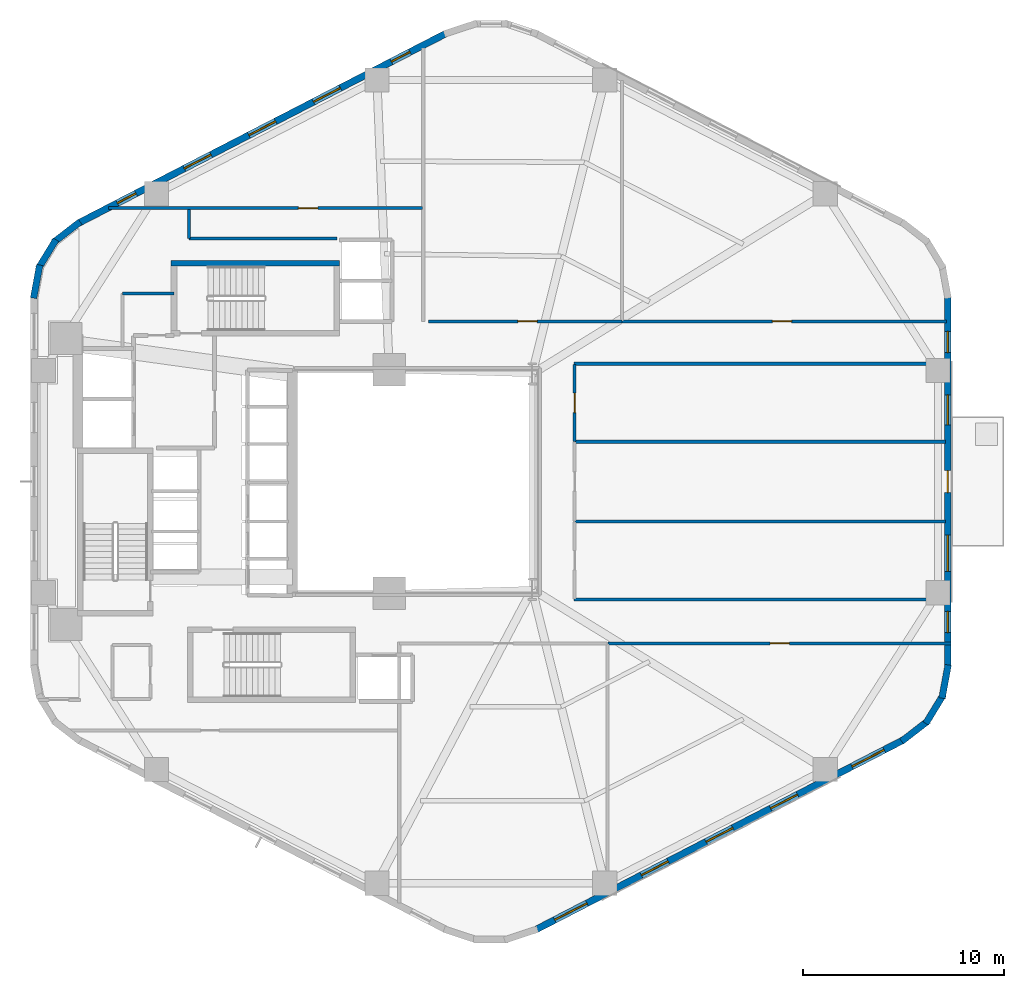
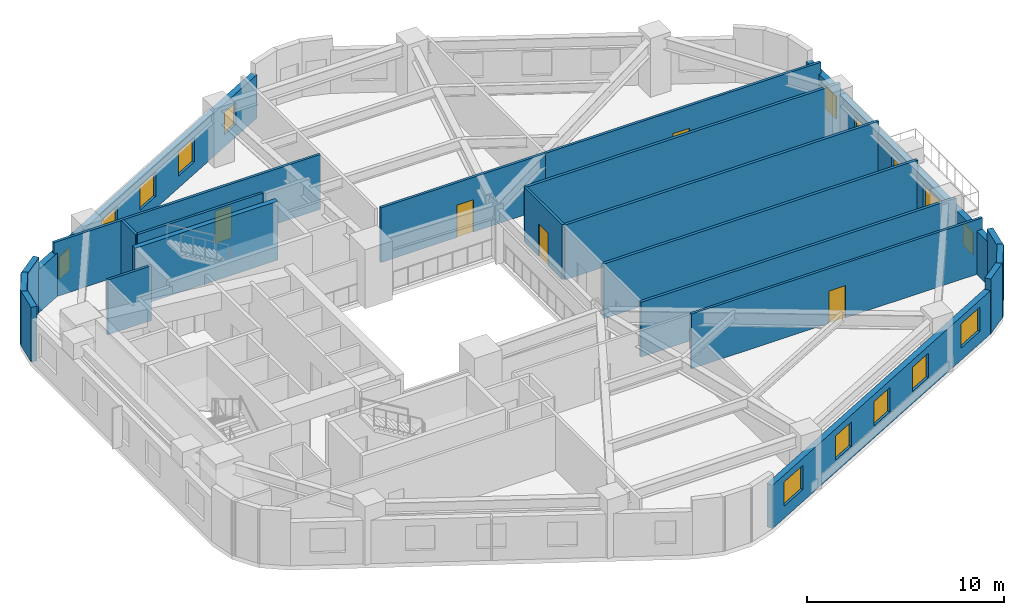
# One storey, part 4 of 7: 22 walls, 14 windows, 6 doors, 20 openings.
"""IFC4 building model written with IfcOpenShell, lengths in metres."""

from ifc_helpers import new_model, si_unit, direction, frame, frame_2d, origin, place, context, subcontext, project, spatial, rectangle, extrude, material, layer, layer_set, type_object, element, fill, save


model = new_model("IFC4")

# Units and contexts
model_context = context("Model", 3, precision=1e-05, world=origin(), true_north=direction((0.0, 1.0)))
body_context = subcontext(model_context, "Body", "Model", "MODEL_VIEW")
ifc_project = project(units=[si_unit("LENGTHUNIT", "METRE"), si_unit("AREAUNIT", "SQUARE_METRE"), si_unit("VOLUMEUNIT", "CUBIC_METRE"), si_unit("PLANEANGLEUNIT", "RADIAN"), si_unit("MASSUNIT", "GRAM", prefix="KILO"), si_unit("THERMODYNAMICTEMPERATUREUNIT", "KELVIN"), si_unit("POWERUNIT", "WATT")], contexts=[model_context])

# Site, building, storey
site_placement = place(None, origin())
site = spatial("IfcSite", under=ifc_project, at=site_placement, CompositionType="ELEMENT")
building_placement = place(site_placement, origin())
building = spatial("IfcBuilding", under=site, at=building_placement, Name="Skarre Station Tower", CompositionType="ELEMENT")
storey_placement = place(building_placement, frame((0.0, 0.0, 70.800048828125)))
storey = spatial("IfcBuildingStorey", under=building, at=storey_placement, Name="L18", CompositionType="ELEMENT", Elevation=70.800048828125)

# Wall
ifc_material_1 = material(Name="Acoustic Steel-Stud Gypsum Partition", Category="steel")
ifc_layer_1 = layer(ifc_material_1, 0.14990234375, Name="Acoustic Steel-Stud Gypsum Partition")
ifc_layer_set_1 = layer_set([ifc_layer_1], Name="Acoustic Steel-Stud Gypsum Partition")
wall_type_1 = type_object("IfcWallType", Name="Fire-Rated Corridor Acoustic Partition 150", PredefinedType="PARTITIONING", material=ifc_layer_set_1)
wall_1_placement = place(storey_placement, frame((21.659912109375, 33.35009765625, 0.0), z_axis=(0.0, 0.0, 1.0), x_axis=(-1.0, 0.0, 0.0)))
element("IfcWall", 1, at=wall_1_placement, inside=storey, type_object=wall_type_1, Name="L18 Interior Partition WL-PT-L18-CNW-N1", PredefinedType="PARTITIONING", context=body_context, shape_type="SweptSolid", body=[
    extrude(rectangle(XDim=2.559814453125, YDim=0.14990234375, at=frame_2d((1.27978515625, 0.0))), origin(), (0.0, 0.0, 1.0), 3.389892578125),
])

# Wall, opening, door
wall_2_placement = place(storey_placement, frame((34.0, 37.580078125, 0.0), z_axis=(0.0, 0.0, 1.0), x_axis=(-1.0, 0.0, 0.0)))
wall_2 = element("IfcWall", 2, at=wall_2_placement, inside=storey, type_object=wall_type_1, Name="L18 Interior Partition WL-PT-L18-NWW1-CW", PredefinedType="PARTITIONING", context=body_context, shape_type="SweptSolid", body=[
    extrude(rectangle(XDim=15.60009765625, YDim=0.14990234375, at=frame_2d((7.800048828125, 0.0))), origin(), (0.0, 0.0, 1.0), 3.389892578125),
])
opening_1_placement = place(wall_2_placement, frame((5.195068359375, 0.0, 0.0)))
opening_1 = element("IfcOpeningElement", 3, at=opening_1_placement, cuts=wall_2, Name="Opening DR-FD60", PredefinedType="OPENING", context=body_context, shape_type="SweptSolid", body=[
    extrude(rectangle(XDim=0.9599609375, YDim=2.0, at=frame_2d((0.47998046875, 1.0))), frame((0.0, 0.0849609375, 0.0), z_axis=(0.0, -1.0, 0.0), x_axis=(1.0, 0.0, 0.0)), (0.0, 0.0, 1.0), 0.169921875),
])
ifc_material_2 = material(Name="Nordic White-Oak Veneer Solid-Core Fire Leaf", Category="wood")
door_type_1 = type_object("IfcDoorType", Name="Corridor Suite Entry Fire Door FD60 960x2150", OperationType="SINGLE_SWING_LEFT", PredefinedType="DOOR", material=ifc_material_2)
door_1_placement = place(opening_1_placement, origin())
door_1 = element("IfcDoor", 4, at=door_1_placement, inside=storey, type_object=door_type_1, Name="L18 NWW1 Entry Door", OperationType="SINGLE_SWING_LEFT", OverallHeight=2.0, OverallWidth=0.9599609375, PredefinedType="DOOR", context=body_context, shape_type="SweptSolid", body=[
    extrude(rectangle(XDim=0.9599609375, YDim=2.0, at=frame_2d((0.47998046875, 1.0))), frame((0.0, 0.02490234375, 0.0), z_axis=(0.0, -1.0, 0.0), x_axis=(1.0, 0.0, 0.0)), (0.0, 0.0, 1.0), 0.050048828125),
])
fill(opening_1, door_1)

wall_3_placement = place(storey_placement, frame((43.910888671875, 31.9599609375, 0.0), z_axis=(0.0, 0.0, 1.0), x_axis=(-1.0, 0.0, 0.0)))
wall_3 = element("IfcWall", 5, at=wall_3_placement, inside=storey, type_object=wall_type_1, Name="L18 Interior Partition WL-PT-L18-NW1-CW", PredefinedType="PARTITIONING", context=body_context, shape_type="SweptSolid", body=[
    extrude(rectangle(XDim=9.620849609375, YDim=0.14990234375, at=frame_2d((4.810546875, 0.0))), origin(), (0.0, 0.0, 1.0), 3.389892578125),
])
opening_2_placement = place(wall_3_placement, frame((4.2109375, 0.0, 0.0)))
opening_2 = element("IfcOpeningElement", 6, at=opening_2_placement, cuts=wall_3, Name="Opening DR-FD60", PredefinedType="OPENING", context=body_context, shape_type="SweptSolid", body=[
    extrude(rectangle(XDim=0.9599609375, YDim=2.0, at=frame_2d((0.47998046875, 1.0))), frame((0.0, 0.0849609375, 0.0), z_axis=(0.0, -1.0, 0.0), x_axis=(1.0, 0.0, 0.0)), (0.0, 0.0, 1.0), 0.169921875),
])
door_2_placement = place(opening_2_placement, origin())
door_2 = element("IfcDoor", 7, at=door_2_placement, inside=storey, type_object=door_type_1, Name="L18 NW1 Entry Door", OperationType="SINGLE_SWING_LEFT", OverallHeight=2.0, OverallWidth=0.9599609375, PredefinedType="DOOR", context=body_context, shape_type="SweptSolid", body=[
    extrude(rectangle(XDim=0.9599609375, YDim=2.0, at=frame_2d((0.47998046875, 1.0))), frame((0.0, 0.02490234375, 0.0), z_axis=(0.0, -1.0, 0.0), x_axis=(1.0, 0.0, 0.0)), (0.0, 0.0, 1.0), 0.050048828125),
])
fill(opening_2, door_2)

wall_4_placement = place(storey_placement, frame((60.031982421875, 31.9599609375, 0.0), z_axis=(0.0, 0.0, 1.0), x_axis=(-1.0, 0.0, 0.0)))
wall_4 = element("IfcWall", 8, at=wall_4_placement, inside=storey, type_object=wall_type_1, Name="L18 Interior Partition WL-PT-L18-NW2-CW", PredefinedType="PARTITIONING", context=body_context, shape_type="SweptSolid", body=[
    extrude(rectangle(XDim=16.111083984375, YDim=0.14990234375, at=frame_2d((8.0556640625, 0.0))), origin(), (0.0, 0.0, 1.0), 3.389892578125),
])
opening_3_placement = place(wall_4_placement, frame((7.695068359375, 0.0, 0.0)))
opening_3 = element("IfcOpeningElement", 9, at=opening_3_placement, cuts=wall_4, Name="Opening DR-FD60", PredefinedType="OPENING", context=body_context, shape_type="SweptSolid", body=[
    extrude(rectangle(XDim=0.9599609375, YDim=2.0, at=frame_2d((0.47998046875, 1.0))), frame((0.0, 0.0849609375, 0.0), z_axis=(0.0, -1.0, 0.0), x_axis=(1.0, 0.0, 0.0)), (0.0, 0.0, 1.0), 0.169921875),
])
door_3_placement = place(opening_3_placement, origin())
door_3 = element("IfcDoor", 10, at=door_3_placement, inside=storey, type_object=door_type_1, Name="L18 NW2 Entry Door", OperationType="SINGLE_SWING_LEFT", OverallHeight=2.0, OverallWidth=0.9599609375, PredefinedType="DOOR", context=body_context, shape_type="SweptSolid", body=[
    extrude(rectangle(XDim=0.9599609375, YDim=2.0, at=frame_2d((0.47998046875, 1.0))), frame((0.0, 0.02490234375, 0.0), z_axis=(0.0, -1.0, 0.0), x_axis=(1.0, 0.0, 0.0)), (0.0, 0.0, 1.0), 0.050048828125),
])
fill(opening_3, door_3)

wall_5_placement = place(storey_placement, frame((41.56005859375, 25.9970703125, 0.0), z_axis=(0.0, 0.0, 1.0), x_axis=(0.0, 1.0, 0.0)))
wall_5 = element("IfcWall", 11, at=wall_5_placement, inside=storey, type_object=wall_type_1, Name="L18 Interior Partition WL-PT-L18-EW3-CW", PredefinedType="PARTITIONING", context=body_context, shape_type="SweptSolid", body=[
    extrude(rectangle(XDim=3.822998046875, YDim=0.14990234375, at=frame_2d((1.91162109375, 0.0))), origin(), (0.0, 0.0, 1.0), 3.389892578125),
])
opening_4_placement = place(wall_5_placement, frame((1.431884765625, 0.0, 0.0)))
opening_4 = element("IfcOpeningElement", 12, at=opening_4_placement, cuts=wall_5, Name="Opening DR-FD60", PredefinedType="OPENING", context=body_context, shape_type="SweptSolid", body=[
    extrude(rectangle(XDim=0.9599609375, YDim=2.0, at=frame_2d((0.47998046875, 1.0))), frame((0.0, 0.0849609375, 0.0), z_axis=(0.0, -1.0, 0.0), x_axis=(1.0, 0.0, 0.0)), (0.0, 0.0, 1.0), 0.169921875),
])
door_4_placement = place(opening_4_placement, origin())
door_4 = element("IfcDoor", 13, at=door_4_placement, inside=storey, type_object=door_type_1, Name="L18 EW3 Entry Door", OperationType="SINGLE_SWING_LEFT", OverallHeight=2.0, OverallWidth=0.9599609375, PredefinedType="DOOR", context=body_context, shape_type="SweptSolid", body=[
    extrude(rectangle(XDim=0.9599609375, YDim=2.0, at=frame_2d((0.47998046875, 1.0))), frame((0.0, 0.02490234375, 0.0), z_axis=(0.0, -1.0, 0.0), x_axis=(1.0, 0.0, 0.0)), (0.0, 0.0, 1.0), 0.050048828125),
])
fill(opening_4, door_4)

wall_6_placement = place(storey_placement, frame((43.214111328125, 15.9599609375, 0.0), z_axis=(0.0, 0.0, 1.0), x_axis=(1.0, 0.0, 0.0)))
wall_6 = element("IfcWall", 14, at=wall_6_placement, inside=storey, type_object=wall_type_1, Name="L18 Interior Partition WL-PT-L18-SW2-CW", PredefinedType="PARTITIONING", context=body_context, shape_type="SweptSolid", body=[
    extrude(rectangle(XDim=17.038818359375, YDim=0.14990234375, at=frame_2d((8.51953125, 0.0))), origin(), (0.0, 0.0, 1.0), 3.389892578125),
])
opening_5_placement = place(wall_6_placement, frame((8.052978515625, 0.0, 0.0)))
opening_5 = element("IfcOpeningElement", 15, at=opening_5_placement, cuts=wall_6, Name="Opening DR-FD60", PredefinedType="OPENING", context=body_context, shape_type="SweptSolid", body=[
    extrude(rectangle(XDim=0.9599609375, YDim=2.0, at=frame_2d((0.47998046875, 1.0))), frame((0.0, 0.0849609375, 0.0), z_axis=(0.0, -1.0, 0.0), x_axis=(1.0, 0.0, 0.0)), (0.0, 0.0, 1.0), 0.169921875),
])
door_5_placement = place(opening_5_placement, origin())
door_5 = element("IfcDoor", 16, at=door_5_placement, inside=storey, type_object=door_type_1, Name="L18 SW2 Entry Door", OperationType="SINGLE_SWING_LEFT", OverallHeight=2.0, OverallWidth=0.9599609375, PredefinedType="DOOR", context=body_context, shape_type="SweptSolid", body=[
    extrude(rectangle(XDim=0.9599609375, YDim=2.0, at=frame_2d((0.47998046875, 1.0))), frame((0.0, 0.02490234375, 0.0), z_axis=(0.0, -1.0, 0.0), x_axis=(1.0, 0.0, 0.0)), (0.0, 0.0, 1.0), 0.050048828125),
])
fill(opening_5, door_5)

# Walls
wall_7_placement = place(storey_placement, frame((29.7529296875, 36.080078125, 0.0), z_axis=(0.0, 0.0, 1.0), x_axis=(-1.0, 0.0, 0.0)))
element("IfcWall", 17, at=wall_7_placement, inside=storey, type_object=wall_type_1, Name="L18 Interior Partition WL-PT-L18-CSEAL-1", PredefinedType="PARTITIONING", context=body_context, shape_type="SweptSolid", body=[
    extrude(rectangle(XDim=7.35302734375, YDim=0.14990234375, at=frame_2d((3.676513671875, 0.0))), origin(), (0.0, 0.0, 1.0), 3.389892578125),
])
wall_8_placement = place(storey_placement, frame((22.39990234375, 36.080078125, 0.0), z_axis=(0.0, 0.0, 1.0), x_axis=(0.0, 1.0, 0.0)))
element("IfcWall", 18, at=wall_8_placement, inside=storey, type_object=wall_type_1, Name="L18 Interior Partition WL-PT-L18-CSEAL-2", PredefinedType="PARTITIONING", context=body_context, shape_type="SweptSolid", body=[
    extrude(rectangle(XDim=1.429931640625, YDim=0.14990234375, at=frame_2d((0.71484375, 0.0))), origin(), (0.0, 0.0, 1.0), 3.389892578125),
])

# Wall, openings, windows
ifc_material_3 = material(Name="Precast concrete C45/55", Category="concrete")
ifc_layer_2 = layer(ifc_material_3, 0.340087890625, Name="Precast concrete C45/55")
ifc_layer_set_2 = layer_set([ifc_layer_2], Name="Precast concrete C45/55")
wall_type_2 = type_object("IfcWallType", Name="Nordic Honed Precast Facet Wall 340", PredefinedType="STANDARD", material=ifc_layer_set_2)
wall_9_placement = place(storey_placement, frame((16.924072265625, 36.841064453125, 0.0), z_axis=(0.0, 0.0, 1.0), x_axis=(0.888634413993, 0.458616264721, 0.0)))
wall_9 = element("IfcWall", 19, at=wall_9_placement, inside=storey, type_object=wall_type_2, Name="L18 Facet 1 Nordic Precast Masonry Wall", PredefinedType="STANDARD", context=body_context, shape_type="SweptSolid", body=[
    extrude(rectangle(XDim=20.53125, YDim=0.340087890625, at=frame_2d((10.265625, 0.0))), origin(), (0.0, 0.0, 1.0), 2.683837890625),
])
opening_6_placement = place(wall_9_placement, frame((2.160888671875, 0.0, 0.75)))
opening_6 = element("IfcOpeningElement", 20, at=opening_6_placement, cuts=wall_9, Name="Opening WN-SLT", PredefinedType="OPENING", context=body_context, shape_type="SweptSolid", body=[
    extrude(rectangle(XDim=1.050048828125, YDim=1.39990234375, at=frame_2d((0.52490234375, 0.699951171875))), frame((0.0, 0.179931640625, 0.0), z_axis=(0.0, -1.0, 0.0), x_axis=(1.0, 0.0, 0.0)), (0.0, 0.0, 1.0), 0.360107421875),
])
opening_7_placement = place(wall_9_placement, frame((5.903076171875, 0.0, 0.75)))
opening_7 = element("IfcOpeningElement", 21, at=opening_7_placement, cuts=wall_9, Name="Opening WN-Z1B", PredefinedType="OPENING", context=body_context, shape_type="SweptSolid", body=[
    extrude(rectangle(XDim=1.5, YDim=1.5, at=frame_2d((0.75, 0.75))), frame((0.0, 0.179931640625, 0.0), z_axis=(0.0, -1.0, 0.0), x_axis=(1.0, 0.0, 0.0)), (0.0, 0.0, 1.0), 0.360107421875),
])
opening_8_placement = place(wall_9_placement, frame((9.51611328125, 0.0, 0.75)))
opening_8 = element("IfcOpeningElement", 22, at=opening_8_placement, cuts=wall_9, Name="Opening WN-Z1B", PredefinedType="OPENING", context=body_context, shape_type="SweptSolid", body=[
    extrude(rectangle(XDim=1.5, YDim=1.5, at=frame_2d((0.75, 0.75))), frame((0.0, 0.179931640625, 0.0), z_axis=(0.0, -1.0, 0.0), x_axis=(1.0, 0.0, 0.0)), (0.0, 0.0, 1.0), 0.360107421875),
])
opening_9_placement = place(wall_9_placement, frame((13.12890625, 0.0, 0.75)))
opening_9 = element("IfcOpeningElement", 23, at=opening_9_placement, cuts=wall_9, Name="Opening WN-Z1B", PredefinedType="OPENING", context=body_context, shape_type="SweptSolid", body=[
    extrude(rectangle(XDim=1.5, YDim=1.5, at=frame_2d((0.75, 0.75))), frame((0.0, 0.179931640625, 0.0), z_axis=(0.0, -1.0, 0.0), x_axis=(1.0, 0.0, 0.0)), (0.0, 0.0, 1.0), 0.360107421875),
])
opening_10_placement = place(wall_9_placement, frame((17.47607421875, 0.0, 0.75)))
opening_10 = element("IfcOpeningElement", 24, at=opening_10_placement, cuts=wall_9, Name="Opening WN-SLT", PredefinedType="OPENING", context=body_context, shape_type="SweptSolid", body=[
    extrude(rectangle(XDim=1.050048828125, YDim=1.39990234375, at=frame_2d((0.52490234375, 0.699951171875))), frame((0.0, 0.179931640625, 0.0), z_axis=(0.0, -1.0, 0.0), x_axis=(1.0, 0.0, 0.0)), (0.0, 0.0, 1.0), 0.360107421875),
])
ifc_material_4 = material(Name="Low-Iron Triple Glazing with Bronze Anodized Frame", Category="glass")
window_type_1 = type_object("IfcWindowType", Name="Nordic Corner Slot Window 1050x1400", PartitioningType="SINGLE_PANEL", PredefinedType="WINDOW", material=ifc_material_4)
window_1_placement = place(opening_6_placement, origin())
window_1 = element("IfcWindow", 25, at=window_1_placement, inside=storey, type_object=window_type_1, Name="L18 Facade Window WL-FAC-L18-F1-1", OverallHeight=1.39990234375, OverallWidth=1.050048828125, PartitioningType="SINGLE_PANEL", PredefinedType="WINDOW", context=body_context, shape_type="SweptSolid", body=[
    extrude(rectangle(XDim=1.050048828125, YDim=1.39990234375, at=frame_2d((0.52490234375, 0.699951171875))), frame((0.0, 0.030029296875, 0.0), z_axis=(0.0, -1.0, 0.0), x_axis=(1.0, 0.0, 0.0)), (0.0, 0.0, 1.0), 0.06005859375),
])
fill(opening_6, window_1)
window_2_placement = place(opening_10_placement, origin())
window_2 = element("IfcWindow", 26, at=window_2_placement, inside=storey, type_object=window_type_1, Name="L18 Facade Window WL-FAC-L18-F1-5", OverallHeight=1.39990234375, OverallWidth=1.050048828125, PartitioningType="SINGLE_PANEL", PredefinedType="WINDOW", context=body_context, shape_type="SweptSolid", body=[
    extrude(rectangle(XDim=1.050048828125, YDim=1.39990234375, at=frame_2d((0.52490234375, 0.699951171875))), frame((0.0, 0.030029296875, 0.0), z_axis=(0.0, -1.0, 0.0), x_axis=(1.0, 0.0, 0.0)), (0.0, 0.0, 1.0), 0.06005859375),
])
fill(opening_10, window_2)
window_type_2 = type_object("IfcWindowType", Name="Nordic Punched Triple-Glazed Window 1500x1500", PartitioningType="SINGLE_PANEL", PredefinedType="WINDOW", material=ifc_material_4)
window_3_placement = place(opening_7_placement, origin())
window_3 = element("IfcWindow", 27, at=window_3_placement, inside=storey, type_object=window_type_2, Name="L18 Facade Window WL-FAC-L18-F1-2", OverallHeight=1.5, OverallWidth=1.5, PartitioningType="SINGLE_PANEL", PredefinedType="WINDOW", context=body_context, shape_type="SweptSolid", body=[
    extrude(rectangle(XDim=1.5, YDim=1.5, at=frame_2d((0.75, 0.75))), frame((0.0, 0.030029296875, 0.0), z_axis=(0.0, -1.0, 0.0), x_axis=(1.0, 0.0, 0.0)), (0.0, 0.0, 1.0), 0.06005859375),
])
fill(opening_7, window_3)
window_4_placement = place(opening_8_placement, origin())
window_4 = element("IfcWindow", 28, at=window_4_placement, inside=storey, type_object=window_type_2, Name="L18 Facade Window WL-FAC-L18-F1-3", OverallHeight=1.5, OverallWidth=1.5, PartitioningType="SINGLE_PANEL", PredefinedType="WINDOW", context=body_context, shape_type="SweptSolid", body=[
    extrude(rectangle(XDim=1.5, YDim=1.5, at=frame_2d((0.75, 0.75))), frame((0.0, 0.030029296875, 0.0), z_axis=(0.0, -1.0, 0.0), x_axis=(1.0, 0.0, 0.0)), (0.0, 0.0, 1.0), 0.06005859375),
])
fill(opening_8, window_4)
window_5_placement = place(opening_9_placement, origin())
window_5 = element("IfcWindow", 29, at=window_5_placement, inside=storey, type_object=window_type_2, Name="L18 Facade Window WL-FAC-L18-F1-4", OverallHeight=1.5, OverallWidth=1.5, PartitioningType="SINGLE_PANEL", PredefinedType="WINDOW", context=body_context, shape_type="SweptSolid", body=[
    extrude(rectangle(XDim=1.5, YDim=1.5, at=frame_2d((0.75, 0.75))), frame((0.0, 0.030029296875, 0.0), z_axis=(0.0, -1.0, 0.0), x_axis=(1.0, 0.0, 0.0)), (0.0, 0.0, 1.0), 0.06005859375),
])
fill(opening_9, window_5)

wall_10_placement = place(storey_placement, frame((57.8759765625, 11.158935546875, 0.0), z_axis=(0.0, 0.0, 1.0), x_axis=(-0.888634413993, -0.458616264721, 0.0)))
wall_10 = element("IfcWall", 30, at=wall_10_placement, inside=storey, type_object=wall_type_2, Name="L18 Facet 4 Nordic Precast Masonry Wall", PredefinedType="STANDARD", context=body_context, shape_type="SweptSolid", body=[
    extrude(rectangle(XDim=20.53125, YDim=0.340087890625, at=frame_2d((10.265625, 0.0))), origin(), (0.0, 0.0, 1.0), 2.683837890625),
])
opening_11_placement = place(wall_10_placement, frame((1.05810546875, 0.0, 0.75)))
opening_11 = element("IfcOpeningElement", 31, at=opening_11_placement, cuts=wall_10, Name="Opening WN-Z1A", PredefinedType="OPENING", context=body_context, shape_type="SweptSolid", body=[
    extrude(rectangle(XDim=1.800048828125, YDim=1.5, at=frame_2d((0.89990234375, 0.75))), frame((0.0, 0.179931640625, 0.0), z_axis=(0.0, -1.0, 0.0), x_axis=(1.0, 0.0, 0.0)), (0.0, 0.0, 1.0), 0.360107421875),
])
opening_12_placement = place(wall_10_placement, frame((5.903076171875, 0.0, 0.75)))
opening_12 = element("IfcOpeningElement", 32, at=opening_12_placement, cuts=wall_10, Name="Opening WN-Z1B", PredefinedType="OPENING", context=body_context, shape_type="SweptSolid", body=[
    extrude(rectangle(XDim=1.5, YDim=1.5, at=frame_2d((0.75, 0.75))), frame((0.0, 0.179931640625, 0.0), z_axis=(0.0, -1.0, 0.0), x_axis=(1.0, 0.0, 0.0)), (0.0, 0.0, 1.0), 0.360107421875),
])
opening_13_placement = place(wall_10_placement, frame((9.51611328125, 0.0, 0.75)))
opening_13 = element("IfcOpeningElement", 33, at=opening_13_placement, cuts=wall_10, Name="Opening WN-Z1B", PredefinedType="OPENING", context=body_context, shape_type="SweptSolid", body=[
    extrude(rectangle(XDim=1.5, YDim=1.5, at=frame_2d((0.75, 0.75))), frame((0.0, 0.179931640625, 0.0), z_axis=(0.0, -1.0, 0.0), x_axis=(1.0, 0.0, 0.0)), (0.0, 0.0, 1.0), 0.360107421875),
])
opening_14_placement = place(wall_10_placement, frame((13.12890625, 0.0, 0.75)))
opening_14 = element("IfcOpeningElement", 34, at=opening_14_placement, cuts=wall_10, Name="Opening WN-Z1B", PredefinedType="OPENING", context=body_context, shape_type="SweptSolid", body=[
    extrude(rectangle(XDim=1.5, YDim=1.5, at=frame_2d((0.75, 0.75))), frame((0.0, 0.179931640625, 0.0), z_axis=(0.0, -1.0, 0.0), x_axis=(1.0, 0.0, 0.0)), (0.0, 0.0, 1.0), 0.360107421875),
])
opening_15_placement = place(wall_10_placement, frame((17.673095703125, 0.0, 0.75)))
opening_15 = element("IfcOpeningElement", 35, at=opening_15_placement, cuts=wall_10, Name="Opening WN-Z1A", PredefinedType="OPENING", context=body_context, shape_type="SweptSolid", body=[
    extrude(rectangle(XDim=1.800048828125, YDim=1.5, at=frame_2d((0.89990234375, 0.75))), frame((0.0, 0.179931640625, 0.0), z_axis=(0.0, -1.0, 0.0), x_axis=(1.0, 0.0, 0.0)), (0.0, 0.0, 1.0), 0.360107421875),
])
window_6_placement = place(opening_12_placement, origin())
window_6 = element("IfcWindow", 36, at=window_6_placement, inside=storey, type_object=window_type_2, Name="L18 Facade Window WL-FAC-L18-F4-2", OverallHeight=1.5, OverallWidth=1.5, PartitioningType="SINGLE_PANEL", PredefinedType="WINDOW", context=body_context, shape_type="SweptSolid", body=[
    extrude(rectangle(XDim=1.5, YDim=1.5, at=frame_2d((0.75, 0.75))), frame((0.0, 0.030029296875, 0.0), z_axis=(0.0, -1.0, 0.0), x_axis=(1.0, 0.0, 0.0)), (0.0, 0.0, 1.0), 0.06005859375),
])
fill(opening_12, window_6)
window_7_placement = place(opening_13_placement, origin())
window_7 = element("IfcWindow", 37, at=window_7_placement, inside=storey, type_object=window_type_2, Name="L18 Facade Window WL-FAC-L18-F4-3", OverallHeight=1.5, OverallWidth=1.5, PartitioningType="SINGLE_PANEL", PredefinedType="WINDOW", context=body_context, shape_type="SweptSolid", body=[
    extrude(rectangle(XDim=1.5, YDim=1.5, at=frame_2d((0.75, 0.75))), frame((0.0, 0.030029296875, 0.0), z_axis=(0.0, -1.0, 0.0), x_axis=(1.0, 0.0, 0.0)), (0.0, 0.0, 1.0), 0.06005859375),
])
fill(opening_13, window_7)
window_8_placement = place(opening_14_placement, origin())
window_8 = element("IfcWindow", 38, at=window_8_placement, inside=storey, type_object=window_type_2, Name="L18 Facade Window WL-FAC-L18-F4-4", OverallHeight=1.5, OverallWidth=1.5, PartitioningType="SINGLE_PANEL", PredefinedType="WINDOW", context=body_context, shape_type="SweptSolid", body=[
    extrude(rectangle(XDim=1.5, YDim=1.5, at=frame_2d((0.75, 0.75))), frame((0.0, 0.030029296875, 0.0), z_axis=(0.0, -1.0, 0.0), x_axis=(1.0, 0.0, 0.0)), (0.0, 0.0, 1.0), 0.06005859375),
])
fill(opening_14, window_8)
window_type_3 = type_object("IfcWindowType", Name="Nordic Punched Triple-Glazed Window 1800x1500", PartitioningType="SINGLE_PANEL", PredefinedType="WINDOW", material=ifc_material_4)
window_9_placement = place(opening_11_placement, origin())
window_9 = element("IfcWindow", 39, at=window_9_placement, inside=storey, type_object=window_type_3, Name="L18 Facade Window WL-FAC-L18-F4-1", OverallHeight=1.5, OverallWidth=1.800048828125, PartitioningType="SINGLE_PANEL", PredefinedType="WINDOW", context=body_context, shape_type="SweptSolid", body=[
    extrude(rectangle(XDim=1.800048828125, YDim=1.5, at=frame_2d((0.89990234375, 0.75))), frame((0.0, 0.030029296875, 0.0), z_axis=(0.0, -1.0, 0.0), x_axis=(1.0, 0.0, 0.0)), (0.0, 0.0, 1.0), 0.06005859375),
])
fill(opening_11, window_9)
window_10_placement = place(opening_15_placement, origin())
window_10 = element("IfcWindow", 40, at=window_10_placement, inside=storey, type_object=window_type_3, Name="L18 Facade Window WL-FAC-L18-F4-5", OverallHeight=1.5, OverallWidth=1.800048828125, PartitioningType="SINGLE_PANEL", PredefinedType="WINDOW", context=body_context, shape_type="SweptSolid", body=[
    extrude(rectangle(XDim=1.800048828125, YDim=1.5, at=frame_2d((0.89990234375, 0.75))), frame((0.0, 0.030029296875, 0.0), z_axis=(0.0, -1.0, 0.0), x_axis=(1.0, 0.0, 0.0)), (0.0, 0.0, 1.0), 0.06005859375),
])
fill(opening_15, window_10)

# Wall, openings, windows, door
wall_11_placement = place(storey_placement, frame((60.093017578125, 33.201904296875, 0.0), z_axis=(0.0, 0.0, 1.0), x_axis=(0.0, -1.0, 0.0)))
wall_11 = element("IfcWall", 41, at=wall_11_placement, inside=storey, type_object=wall_type_2, Name="L18 Facet 5 Nordic Precast Masonry Wall", PredefinedType="STANDARD", context=body_context, shape_type="SweptSolid", body=[
    extrude(rectangle(XDim=18.40380859375, YDim=0.340087890625, at=frame_2d((9.201904296875, 0.0))), origin(), (0.0, 0.0, 1.0), 2.683837890625),
])
opening_16_placement = place(wall_11_placement, frame((8.652099609375, 0.0, 0.0)))
opening_16 = element("IfcOpeningElement", 42, at=opening_16_placement, cuts=wall_11, Name="Opening DR-BAL110", PredefinedType="OPENING", context=body_context, shape_type="SweptSolid", body=[
    extrude(rectangle(XDim=1.10009765625, YDim=2.0400390625, at=frame_2d((0.550048828125, 1.02001953125))), frame((0.0, 0.179931640625, 0.0), z_axis=(0.0, -1.0, 0.0), x_axis=(1.0, 0.0, 0.0)), (0.0, 0.0, 1.0), 0.360107421875),
])
opening_17_placement = place(wall_11_placement, frame((1.743896484375, 0.0, 0.75)))
opening_17 = element("IfcOpeningElement", 43, at=opening_17_placement, cuts=wall_11, Name="Opening WN-SLT", PredefinedType="OPENING", context=body_context, shape_type="SweptSolid", body=[
    extrude(rectangle(XDim=1.050048828125, YDim=1.39990234375, at=frame_2d((0.52490234375, 0.699951171875))), frame((0.0, 0.179931640625, 0.0), z_axis=(0.0, -1.0, 0.0), x_axis=(1.0, 0.0, 0.0)), (0.0, 0.0, 1.0), 0.360107421875),
])
opening_18_placement = place(wall_11_placement, frame((4.89111328125, 0.0, 0.75)))
opening_18 = element("IfcOpeningElement", 44, at=opening_18_placement, cuts=wall_11, Name="Opening WN-Z1B", PredefinedType="OPENING", context=body_context, shape_type="SweptSolid", body=[
    extrude(rectangle(XDim=1.5, YDim=1.5, at=frame_2d((0.75, 0.75))), frame((0.0, 0.179931640625, 0.0), z_axis=(0.0, -1.0, 0.0), x_axis=(1.0, 0.0, 0.0)), (0.0, 0.0, 1.0), 0.360107421875),
])
opening_19_placement = place(wall_11_placement, frame((11.863037109375, 0.0, 0.75)))
opening_19 = element("IfcOpeningElement", 45, at=opening_19_placement, cuts=wall_11, Name="Opening WN-Z1A", PredefinedType="OPENING", context=body_context, shape_type="SweptSolid", body=[
    extrude(rectangle(XDim=1.800048828125, YDim=1.5, at=frame_2d((0.89990234375, 0.75))), frame((0.0, 0.179931640625, 0.0), z_axis=(0.0, -1.0, 0.0), x_axis=(1.0, 0.0, 0.0)), (0.0, 0.0, 1.0), 0.360107421875),
])
opening_20_placement = place(wall_11_placement, frame((15.64990234375, 0.0, 0.75)))
opening_20 = element("IfcOpeningElement", 46, at=opening_20_placement, cuts=wall_11, Name="Opening WN-SLT", PredefinedType="OPENING", context=body_context, shape_type="SweptSolid", body=[
    extrude(rectangle(XDim=1.050048828125, YDim=1.39990234375, at=frame_2d((0.52490234375, 0.699951171875))), frame((0.0, 0.179931640625, 0.0), z_axis=(0.0, -1.0, 0.0), x_axis=(1.0, 0.0, 0.0)), (0.0, 0.0, 1.0), 0.360107421875),
])
window_11_placement = place(opening_17_placement, origin())
window_11 = element("IfcWindow", 47, at=window_11_placement, inside=storey, type_object=window_type_1, Name="L18 Facade Window WL-FAC-L18-F5-1", OverallHeight=1.39990234375, OverallWidth=1.050048828125, PartitioningType="SINGLE_PANEL", PredefinedType="WINDOW", context=body_context, shape_type="SweptSolid", body=[
    extrude(rectangle(XDim=1.050048828125, YDim=1.39990234375, at=frame_2d((0.52490234375, 0.699951171875))), frame((0.0, 0.030029296875, 0.0), z_axis=(0.0, -1.0, 0.0), x_axis=(1.0, 0.0, 0.0)), (0.0, 0.0, 1.0), 0.06005859375),
])
fill(opening_17, window_11)
window_12_placement = place(opening_20_placement, origin())
window_12 = element("IfcWindow", 48, at=window_12_placement, inside=storey, type_object=window_type_1, Name="L18 Facade Window WL-FAC-L18-F5-4", OverallHeight=1.39990234375, OverallWidth=1.050048828125, PartitioningType="SINGLE_PANEL", PredefinedType="WINDOW", context=body_context, shape_type="SweptSolid", body=[
    extrude(rectangle(XDim=1.050048828125, YDim=1.39990234375, at=frame_2d((0.52490234375, 0.699951171875))), frame((0.0, 0.030029296875, 0.0), z_axis=(0.0, -1.0, 0.0), x_axis=(1.0, 0.0, 0.0)), (0.0, 0.0, 1.0), 0.06005859375),
])
fill(opening_20, window_12)
window_13_placement = place(opening_18_placement, origin())
window_13 = element("IfcWindow", 49, at=window_13_placement, inside=storey, type_object=window_type_2, Name="L18 Facade Window WL-FAC-L18-F5-2", OverallHeight=1.5, OverallWidth=1.5, PartitioningType="SINGLE_PANEL", PredefinedType="WINDOW", context=body_context, shape_type="SweptSolid", body=[
    extrude(rectangle(XDim=1.5, YDim=1.5, at=frame_2d((0.75, 0.75))), frame((0.0, 0.030029296875, 0.0), z_axis=(0.0, -1.0, 0.0), x_axis=(1.0, 0.0, 0.0)), (0.0, 0.0, 1.0), 0.06005859375),
])
fill(opening_18, window_13)
window_14_placement = place(opening_19_placement, origin())
window_14 = element("IfcWindow", 50, at=window_14_placement, inside=storey, type_object=window_type_3, Name="L18 Facade Window WL-FAC-L18-F5-3", OverallHeight=1.5, OverallWidth=1.800048828125, PartitioningType="SINGLE_PANEL", PredefinedType="WINDOW", context=body_context, shape_type="SweptSolid", body=[
    extrude(rectangle(XDim=1.800048828125, YDim=1.5, at=frame_2d((0.89990234375, 0.75))), frame((0.0, 0.030029296875, 0.0), z_axis=(0.0, -1.0, 0.0), x_axis=(1.0, 0.0, 0.0)), (0.0, 0.0, 1.0), 0.06005859375),
])
fill(opening_19, window_14)
ifc_material_5 = material(Name="Thermally Broken Aluminium & Triple Glazing", Category="aluminium")
door_type_2 = type_object("IfcDoorType", Name="Terrace & Tree-Balcony Glazed Door 1100x2200", OperationType="SINGLE_SWING_LEFT", PredefinedType="DOOR", material=ifc_material_5)
door_6_placement = place(opening_16_placement, origin())
door_6 = element("IfcDoor", 51, at=door_6_placement, inside=storey, type_object=door_type_2, Name="L18 TB-L18-F5 Tree-Balcony Glazed Door", OperationType="SINGLE_SWING_LEFT", OverallHeight=2.0400390625, OverallWidth=1.10009765625, PredefinedType="DOOR", context=body_context, shape_type="SweptSolid", body=[
    extrude(rectangle(XDim=1.10009765625, YDim=2.0400390625, at=frame_2d((0.550048828125, 1.02001953125))), frame((0.0, 0.02490234375, 0.0), z_axis=(0.0, -1.0, 0.0), x_axis=(1.0, 0.0, 0.0)), (0.0, 0.0, 1.0), 0.050048828125),
])
fill(opening_16, door_6)

# Walls
ifc_layer_3 = layer(ifc_material_3, 0.330078125, Name="Precast concrete C45/55")
ifc_layer_set_3 = layer_set([ifc_layer_3], Name="Precast concrete C45/55")
wall_type_3 = type_object("IfcWallType", Name="Nordic Rounded Corner Precast Wall 330", PredefinedType="STANDARD", material=ifc_layer_set_3)
wall_12_placement = place(storey_placement, frame((14.68701171875, 33.10791015625, 0.0), z_axis=(0.0, 0.0, 1.0), x_axis=(0.181714143354, 0.983351397063, 0.0)))
element("IfcWall", 52, at=wall_12_placement, inside=storey, type_object=wall_type_3, Name="L18 Rounded Corner Precast Wall F2-1", PredefinedType="STANDARD", context=body_context, shape_type="SweptSolid", body=[
    extrude(rectangle(XDim=1.677978515625, YDim=0.330078125, at=frame_2d((0.8388671875, 0.0))), origin(), (0.0, 0.0, 1.0), 3.389892578125),
])
wall_13_placement = place(storey_placement, frame((14.925048828125, 34.5830078125, 0.0), z_axis=(0.0, 0.0, 1.0), x_axis=(0.520584129191, 0.853810379671, 0.0)))
element("IfcWall", 53, at=wall_13_placement, inside=storey, type_object=wall_type_3, Name="L18 Rounded Corner Precast Wall F2-2", PredefinedType="STANDARD", context=body_context, shape_type="SweptSolid", body=[
    extrude(rectangle(XDim=1.677001953125, YDim=0.330078125, at=frame_2d((0.83837890625, 0.0))), origin(), (0.0, 0.0, 1.0), 3.389892578125),
])
wall_14_placement = place(storey_placement, frame((15.673095703125, 35.875, 0.0), z_axis=(0.0, 0.0, 1.0), x_axis=(0.790691856293, 0.61221433207, 0.0)))
element("IfcWall", 54, at=wall_14_placement, inside=storey, type_object=wall_type_3, Name="L18 Rounded Corner Precast Wall F2-3", PredefinedType="STANDARD", context=body_context, shape_type="SweptSolid", body=[
    extrude(rectangle(XDim=1.67578125, YDim=0.330078125, at=frame_2d((0.837890625, 0.0))), origin(), (0.0, 0.0, 1.0), 3.389892578125),
])
wall_15_placement = place(storey_placement, frame((60.113037109375, 14.89208984375, 0.0), z_axis=(0.0, 0.0, 1.0), x_axis=(-0.181714143354, -0.983351397063, 0.0)))
element("IfcWall", 55, at=wall_15_placement, inside=storey, type_object=wall_type_3, Name="L18 Rounded Corner Precast Wall F5-1", PredefinedType="STANDARD", context=body_context, shape_type="SweptSolid", body=[
    extrude(rectangle(XDim=1.677978515625, YDim=0.330078125, at=frame_2d((0.8388671875, 0.0))), origin(), (0.0, 0.0, 1.0), 3.389892578125),
])
wall_16_placement = place(storey_placement, frame((59.875, 13.4169921875, 0.0), z_axis=(0.0, 0.0, 1.0), x_axis=(-0.520584129191, -0.853810379671, 0.0)))
element("IfcWall", 56, at=wall_16_placement, inside=storey, type_object=wall_type_3, Name="L18 Rounded Corner Precast Wall F5-2", PredefinedType="STANDARD", context=body_context, shape_type="SweptSolid", body=[
    extrude(rectangle(XDim=1.677001953125, YDim=0.330078125, at=frame_2d((0.83837890625, 0.0))), origin(), (0.0, 0.0, 1.0), 3.389892578125),
])
wall_17_placement = place(storey_placement, frame((59.126953125, 12.125, 0.0), z_axis=(0.0, 0.0, 1.0), x_axis=(-0.790691856293, -0.61221433207, 0.0)))
element("IfcWall", 57, at=wall_17_placement, inside=storey, type_object=wall_type_3, Name="L18 Rounded Corner Precast Wall F5-3", PredefinedType="STANDARD", context=body_context, shape_type="SweptSolid", body=[
    extrude(rectangle(XDim=1.67578125, YDim=0.330078125, at=frame_2d((0.837890625, 0.0))), origin(), (0.0, 0.0, 1.0), 3.389892578125),
])
ifc_material_6 = material(Name="Concrete C50/60", Category="concrete")
ifc_layer_4 = layer(ifc_material_6, 0.280029296875, Name="Concrete C50/60")
ifc_layer_set_4 = layer_set([ifc_layer_4], Name="Concrete C50/60")
wall_type_4 = type_object("IfcWallType", Name="RC Core Shear Wall 280", PredefinedType="SHEAR", material=ifc_layer_set_4)
wall_18_placement = place(storey_placement, frame((29.8798828125, 34.840087890625, 0.0), z_axis=(0.0, 0.0, 1.0), x_axis=(-1.0, 0.0, 0.0)))
element("IfcWall", 58, at=wall_18_placement, inside=storey, type_object=wall_type_4, Name="L18 Stair ST-3 North Shear Wall", PredefinedType="SHEAR", context=body_context, shape_type="SweptSolid", body=[
    extrude(rectangle(XDim=8.35986328125, YDim=0.280029296875, at=frame_2d((4.179931640625, 0.0))), origin(), (0.0, 0.0, 1.0), 3.64990234375),
])
ifc_layer_5 = layer(ifc_material_1, 0.1650390625, Name="Acoustic Steel-Stud Gypsum Partition")
ifc_layer_set_5 = layer_set([ifc_layer_5], Name="Acoustic Steel-Stud Gypsum Partition")
wall_type_5 = type_object("IfcWallType", Name="Suite Demising Acoustic Partition 165", PredefinedType="PARTITIONING", material=ifc_layer_set_5)
for number, where, z_axis, x_axis, name in (
    (59, (41.52001953125, 18.139892578125, 0.0), (0.0, 0.0, 1.0), (1.0, 0.0, 0.0), "L18 Interior Partition WL-PT-L18-EWB-S"),
    (60, (41.52001953125, 29.860107421875, 0.0), (0.0, 0.0, 1.0), (1.0, 0.0, 0.0), "L18 Interior Partition WL-PT-L18-EWB-N"),
):
    element("IfcWall", number, at=place(storey_placement, frame(where, z_axis=z_axis, x_axis=x_axis)), inside=storey, type_object=wall_type_5, Name=name, PredefinedType="PARTITIONING", context=body_context, shape_type="SweptSolid", body=[
        extrude(rectangle(XDim=18.452880859375, YDim=0.1650390625, at=frame_2d((9.2265625, 0.0))), origin(), (0.0, 0.0, 1.0), 3.389892578125),
    ])
for number, where, z_axis, x_axis, name in (
    (61, (41.590087890625, 22.02099609375, 0.0), (0.0, 0.0, 1.0), (1.0, 0.0, 0.0), "L18 Interior Partition WL-PT-L18-EW-P1"),
    (62, (41.590087890625, 25.97900390625, 0.0), (0.0, 0.0, 1.0), (1.0, 0.0, 0.0), "L18 Interior Partition WL-PT-L18-EW-P2"),
):
    element("IfcWall", number, at=place(storey_placement, frame(where, z_axis=z_axis, x_axis=x_axis)), inside=storey, type_object=wall_type_5, Name=name, PredefinedType="PARTITIONING", context=body_context, shape_type="SweptSolid", body=[
        extrude(rectangle(XDim=18.3828125, YDim=0.1650390625, at=frame_2d((9.19140625, 0.0))), origin(), (0.0, 0.0, 1.0), 3.389892578125),
    ])

save(model, "model.ifc")
